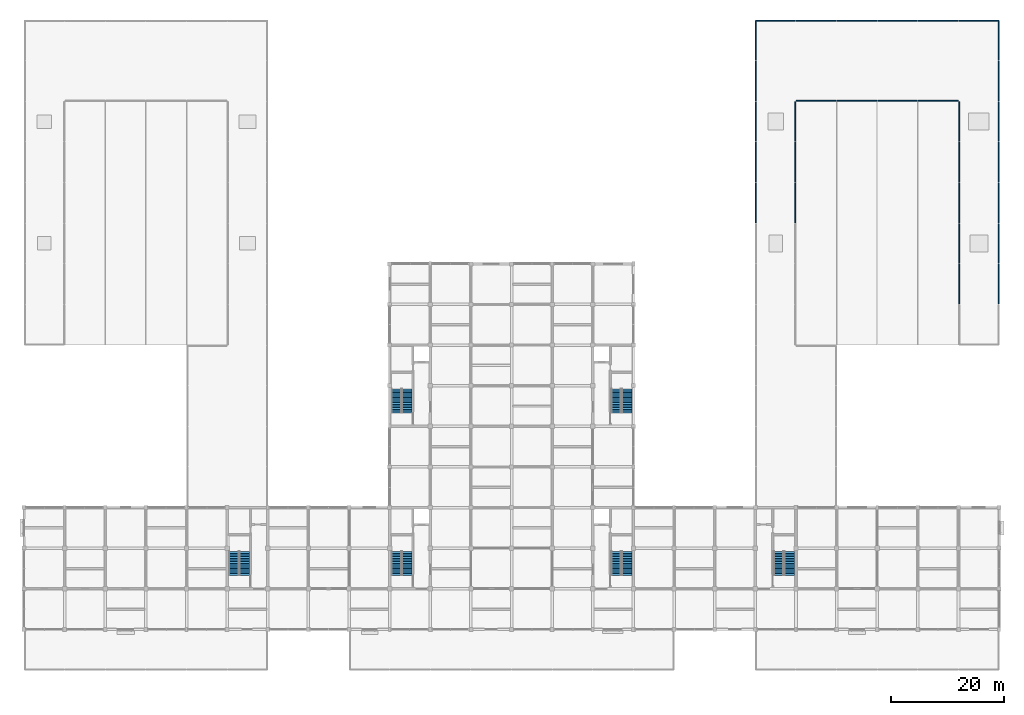
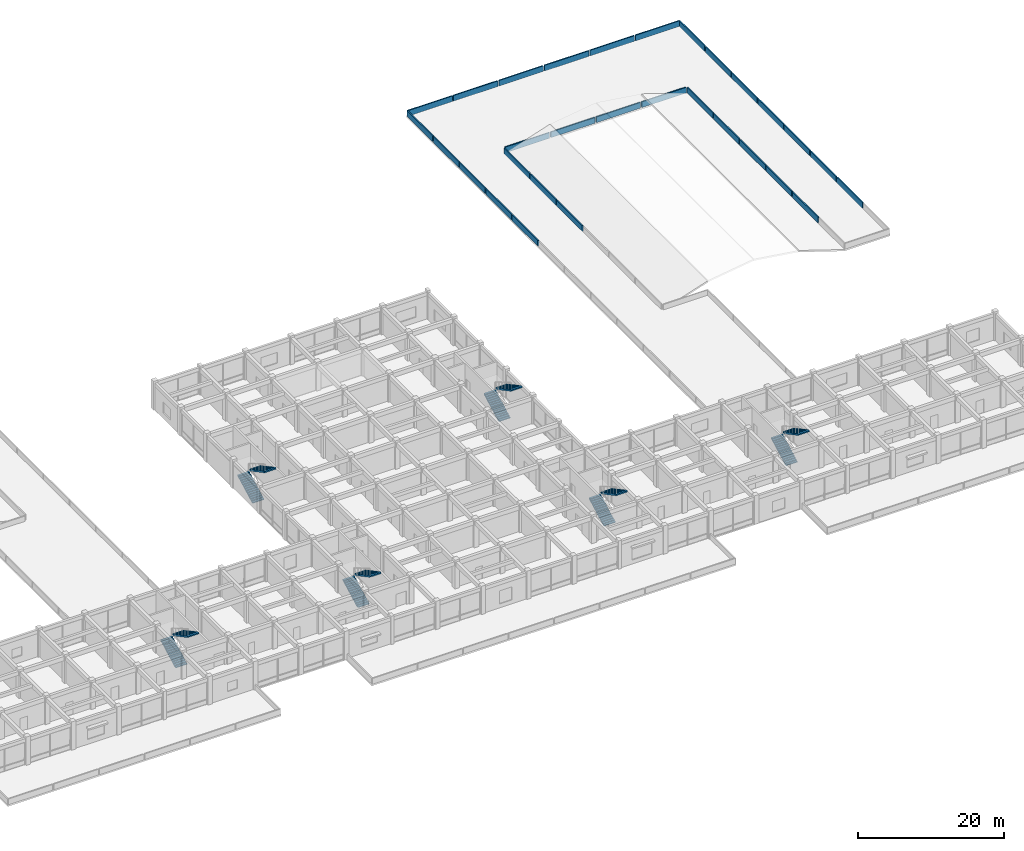
# One storey, part 26 of 30: 30 walls, 12 stair flights, 6 elements without a shape of their own.
"""IFC4 building model written with IfcOpenShell, lengths in metres."""

import ifcopenshell
import ifcopenshell.guid

model = None  # the IFC model being written
_history = None  # IfcOwnerHistory: only IFC2X3 demands one
_inside = {}  # id of a spatial element -> (the spatial element, [elements in it])
_under = {}  # id of a project, library or spatial element -> (it, [spatial elements below it])
_declared = {}  # id of a project -> (the project, [libraries it declares])
_typed = {}  # id of a type object -> (the type object, [elements of that type])
_made_of = {}  # id of a material, layer set ... -> (it, [elements and type objects made of it])


def new_model(schema):
    """Start an empty IFC model of exactly this schema.

    Asked for "IFC4X3", IfcOpenShell would pick the latest addendum, in which some entities
    have other attributes; the version numbers below select the first issue.
    IFC2X3 requires an IfcOwnerHistory on every rooted entity: one is made here for all.
    """
    global model, _history
    if schema == "IFC4X3":
        model = ifcopenshell.file(schema_version=(4, 3, 0, 0))
    else:
        model = ifcopenshell.file(schema=schema)
    _inside.clear()
    _under.clear()
    _declared.clear()
    _typed.clear()
    _made_of.clear()
    _history = None
    if model.schema == "IFC2X3":
        org = make("IfcOrganization", Name="unknown")
        user = make(
            "IfcPersonAndOrganization",
            ThePerson=make("IfcPerson", FamilyName="unknown"),
            TheOrganization=org,
        )
        app = make(
            "IfcApplication",
            ApplicationDeveloper=org,
            Version="unknown",
            ApplicationFullName="unknown",
            ApplicationIdentifier="unknown",
        )
        _history = make(
            "IfcOwnerHistory",
            OwningUser=user,
            OwningApplication=app,
            ChangeAction="ADDED",
            CreationDate=0,
        )
    return model


def make(cls, **values):
    """One entity of the class cls with the attributes given. An attribute that is None is left unset."""
    return model.create_entity(
        cls, **{name: value for name, value in values.items() if value is not None}
    )


def rooted(cls, **values):
    """An entity with a GlobalId (a new one), such as an element, a storey or a relation."""
    return make(cls, GlobalId=ifcopenshell.guid.new(), OwnerHistory=_history, **values)


def si_unit(unit_type, name, prefix=None):
    """IfcSIUnit, for example si_unit("LENGTHUNIT", "METRE", prefix="MILLI")."""
    return make("IfcSIUnit", UnitType=unit_type, Prefix=prefix, Name=name)


def assignment(units):
    """IfcUnitAssignment: the units of a project."""
    return None if units is None else make("IfcUnitAssignment", Units=units)


def point(xyz):
    """IfcCartesianPoint."""
    return None if xyz is None else make("IfcCartesianPoint", Coordinates=xyz)


def direction(xyz):
    """IfcDirection."""
    return None if xyz is None else make("IfcDirection", DirectionRatios=xyz)


def frame(location, z_axis=None, x_axis=None):
    """IfcAxis2Placement3D, a coordinate frame: its origin and axes. An axis left out is left unset."""
    return make(
        "IfcAxis2Placement3D",
        Location=point(location),
        Axis=direction(z_axis),
        RefDirection=direction(x_axis),
    )


def frame_2d(location, x_axis=None):
    """IfcAxis2Placement2D, a coordinate frame in the plane: its origin and x axis."""
    return make(
        "IfcAxis2Placement2D", Location=point(location), RefDirection=direction(x_axis)
    )


def origin():
    """The frame at (0, 0, 0) with its axes left unset."""
    return frame((0.0, 0.0, 0.0))


def place(relative_to, where):
    """IfcLocalPlacement: puts the frame where relative to a parent placement (None: the world)."""
    return make(
        "IfcLocalPlacement", PlacementRelTo=relative_to, RelativePlacement=where
    )


def context(
    kind, dimensions, precision=None, world=None, true_north=None, identifier=None
):
    """IfcGeometricRepresentationContext, for example the 3D "Model" context."""
    return make(
        "IfcGeometricRepresentationContext",
        ContextIdentifier=identifier,
        ContextType=kind,
        CoordinateSpaceDimension=dimensions,
        Precision=precision,
        WorldCoordinateSystem=world,
        TrueNorth=true_north,
    )


def subcontext(parent, identifier, kind, view, scale=None):
    """IfcGeometricRepresentationSubContext, for example "Body" below "Model"."""
    return make(
        "IfcGeometricRepresentationSubContext",
        ContextIdentifier=identifier,
        ContextType=kind,
        ParentContext=parent,
        TargetScale=scale,
        TargetView=view,
    )


def project(units=None, contexts=None):
    """IfcProject with its units and contexts."""
    return rooted(
        "IfcProject",
        Name="project",
        RepresentationContexts=contexts,
        UnitsInContext=assignment(units),
    )


def spatial(cls, under=None, at=None, **own):
    """A site, building, storey or space (cls), placed at a placement, below another one or the project."""
    s = rooted(cls, ObjectPlacement=at, **own)
    if under is not None:
        _under.setdefault(under.id(), (under, []))[1].append(s)
    return s


def polyline(points):
    """IfcPolyline through the points."""
    return make("IfcPolyline", Points=[point(p) for p in points])


def profile(cls, at=None, kind="AREA", **sizes):
    """A parametric profile (cls). Its sizes go by their IFC names, for example OverallWidth=200.0."""
    return make(cls, ProfileType=kind, Position=at, **sizes)


def rectangle(**sizes):
    """IfcRectangleProfileDef."""
    return profile("IfcRectangleProfileDef", **sizes)


def outline(outer, holes=None, kind="AREA"):
    """IfcArbitraryClosedProfileDef: a profile drawn as a closed curve; with holes, ...WithVoids."""
    if holes is None:
        return make("IfcArbitraryClosedProfileDef", ProfileType=kind, OuterCurve=outer)
    return make(
        "IfcArbitraryProfileDefWithVoids",
        ProfileType=kind,
        OuterCurve=outer,
        InnerCurves=holes,
    )


def extrude(swept, where, along, depth):
    """IfcExtrudedAreaSolid: the profile swept, set in the frame where, extruded along a direction by depth."""
    return make(
        "IfcExtrudedAreaSolid",
        SweptArea=swept,
        Position=where,
        ExtrudedDirection=direction(along),
        Depth=depth,
    )


def shape(context_of_items, identifier, shape_type, items):
    """IfcShapeRepresentation: the items that make up one representation, for example the "Body"."""
    return make(
        "IfcShapeRepresentation",
        ContextOfItems=context_of_items,
        RepresentationIdentifier=identifier,
        RepresentationType=shape_type,
        Items=items,
    )


def material(Name=None, Category=None):
    """IfcMaterial."""
    return make("IfcMaterial", Name=Name, Category=Category)


def layer(
    of_material, thickness, ventilated=None, Name=None, Category=None, Priority=None
):
    """IfcMaterialLayer: one layer of a wall or slab, of a material (None: an air gap)."""
    return make(
        "IfcMaterialLayer",
        Material=of_material,
        LayerThickness=thickness,
        IsVentilated=ventilated,
        Name=Name,
        Category=Category,
        Priority=Priority,
    )


def layer_set(layers, Name=None):
    """IfcMaterialLayerSet."""
    return make("IfcMaterialLayerSet", MaterialLayers=layers, LayerSetName=Name)


def made_of(thing, what):
    """Note that an element or type object is made of a material, layer set ...; save() writes the relation."""
    if what is not None:
        _made_of.setdefault(what.id(), (what, []))[1].append(thing)
    return thing


def type_object(cls, material=None, **own):
    """A type object (cls), such as IfcWallType, which elements share."""
    return made_of(rooted(cls, **own), material)


def element(
    cls,
    number,
    at=None,
    inside=None,
    cuts=None,
    type_object=None,
    material=None,
    context=None,
    identifier="Body",
    shape_type=None,
    held_by="IfcProductDefinitionShape",
    body=None,
    shapes=None,
    **own,
):
    """One element of the class cls, such as IfcWall. Its Tag is "e" and its number.

    at: its placement. inside: the storey or other place that contains it. cuts: it is an
    opening in that element (IfcRelVoidsElement). A single representation is given by context,
    identifier, shape_type and body (its items); several are given by shapes. held_by: the class
    of the entity that holds the representations. save() writes the other relations.
    """
    e = rooted(cls, Tag="e%d" % number, ObjectPlacement=at, **own)
    if body is not None:
        shapes = [shape(context, identifier, shape_type, body)]
    if shapes is not None:
        e.Representation = make(held_by, Representations=shapes)
    if inside is not None:
        _inside.setdefault(inside.id(), (inside, []))[1].append(e)
    if cuts is not None:
        rooted(
            "IfcRelVoidsElement", RelatingBuildingElement=cuts, RelatedOpeningElement=e
        )
    if type_object is not None:
        _typed.setdefault(type_object.id(), (type_object, []))[1].append(e)
    return made_of(e, material)


def aggregate(whole, parts):
    """IfcRelAggregates: a whole, such as a stair, and the parts it consists of."""
    return rooted("IfcRelAggregates", RelatingObject=whole, RelatedObjects=parts)


def save(model, path):
    """Write the relations noted so far, then the file.

    IfcRelAggregates (storeys below a building ...), IfcRelContainedInSpatialStructure (elements
    in a storey), IfcRelDefinesByType, IfcRelAssociatesMaterial and IfcRelDeclares: one each for
    every whole, place, type object, material and project.
    """
    for whole, parts in _under.values():
        aggregate(whole, parts)
    for where, things in _inside.values():
        rooted(
            "IfcRelContainedInSpatialStructure",
            RelatedElements=things,
            RelatingStructure=where,
        )
    for kind, things in _typed.values():
        rooted("IfcRelDefinesByType", RelatedObjects=things, RelatingType=kind)
    for what, things in _made_of.values():
        rooted("IfcRelAssociatesMaterial", RelatedObjects=things, RelatingMaterial=what)
    for by, libraries in _declared.values():
        rooted("IfcRelDeclares", RelatingContext=by, RelatedDefinitions=libraries)
    model.write(path)


model = new_model("IFC4")

# Units and contexts
model_context = context("Model", 3, precision=1e-05, world=origin(), true_north=direction((0.0, 1.0)))
body_context = subcontext(model_context, "Body", "Model", "MODEL_VIEW")
ifc_project = project(units=[si_unit("LENGTHUNIT", "METRE"), si_unit("AREAUNIT", "SQUARE_METRE"), si_unit("VOLUMEUNIT", "CUBIC_METRE"), si_unit("PLANEANGLEUNIT", "RADIAN"), si_unit("MASSUNIT", "GRAM", prefix="KILO")], contexts=[model_context])

# Site, building, storey
site_placement = place(None, origin())
site = spatial("IfcSite", under=ifc_project, at=site_placement, CompositionType="ELEMENT")
building_placement = place(site_placement, origin())
building = spatial("IfcBuilding", under=site, at=building_placement, Name="Cendaluz Park School", CompositionType="ELEMENT")
storey_placement = place(building_placement, frame((0.0, 0.0, 9.60009765625)))
storey = spatial("IfcBuildingStorey", under=building, at=storey_placement, Name="L02", CompositionType="ELEMENT", Elevation=9.60009765625)

# Walls
ifc_material_1 = material(Name="Concrete C40/50 precast", Category="concrete")
ifc_layer = layer(ifc_material_1, 0.179931640625)
ifc_layer_set = layer_set([ifc_layer], Name="Concrete C40/50 precast")
wall_type = type_object("IfcWallType", Name="W-PR18", PredefinedType="PARAPET", material=ifc_layer_set)
for number, where, z_axis, x_axis, name in (
    (1, (129.68994140625, 79.2900390625, 0.0), (0.0, 0.0, 1.0), (0.0, 1.0, 0.0), "WL-FC-AJ7"),
    (2, (136.7099609375, 79.2900390625, 0.0), (0.0, 0.0, 1.0), (0.0, 1.0, 0.0), "WL-FC-AJ8"),
    (3, (129.68994140625, 86.489990234375, 0.0), (0.0, 0.0, 1.0), (0.0, 1.0, 0.0), "WL-FC-AJ9"),
    (4, (136.7099609375, 86.489990234375, 0.0), (0.0, 0.0, 1.0), (0.0, 1.0, 0.0), "WL-FC-AK0"),
    (5, (129.68994140625, 93.68994140625, 0.0), (0.0, 0.0, 1.0), (0.0, 1.0, 0.0), "WL-FC-AK1"),
    (6, (136.7099609375, 93.68994140625, 0.0), (0.0, 0.0, 1.0), (0.0, 1.0, 0.0), "WL-FC-AK2"),
    (7, (129.68994140625, 100.889892578125, 0.0), (0.0, 0.0, 1.0), (0.0, 1.0, 0.0), "WL-FC-AK3"),
    (8, (129.68994140625, 115.110107421875, 0.0), (0.0, 0.0, 1.0), (1.0, 0.0, 0.0), "WL-FC-AK4"),
    (9, (129.68994140625, 108.090087890625, 0.0), (0.0, 0.0, 1.0), (0.0, 1.0, 0.0), "WL-FC-AK5"),
    (10, (136.889892578125, 100.889892578125, 0.0), (0.0, 0.0, 1.0), (1.0, 0.0, 0.0), "WL-FC-AL2"),
    (11, (136.889892578125, 115.110107421875, 0.0), (0.0, 0.0, 1.0), (1.0, 0.0, 0.0), "WL-FC-AL3"),
    (12, (144.090087890625, 100.889892578125, 0.0), (0.0, 0.0, 1.0), (1.0, 0.0, 0.0), "WL-FC-AL5"),
    (13, (144.090087890625, 115.110107421875, 0.0), (0.0, 0.0, 1.0), (1.0, 0.0, 0.0), "WL-FC-AL6"),
    (14, (151.2900390625, 100.889892578125, 0.0), (0.0, 0.0, 1.0), (1.0, 0.0, 0.0), "WL-FC-AL8"),
    (15, (151.2900390625, 115.110107421875, 0.0), (0.0, 0.0, 1.0), (1.0, 0.0, 0.0), "WL-FC-AL9"),
    (16, (158.489990234375, 100.889892578125, 0.0), (0.0, 0.0, 1.0), (1.0, 0.0, 0.0), "WL-FC-AM1"),
    (17, (158.489990234375, 115.110107421875, 0.0), (0.0, 0.0, 1.0), (1.0, 0.0, 0.0), "WL-FC-AM2"),
    (18, (165.68994140625, 64.889892578125, 0.0), (0.0, 0.0, 1.0), (0.0, 1.0, 0.0), "WL-FC-AM8"),
    (19, (172.7099609375, 64.889892578125, 0.0), (0.0, 0.0, 1.0), (0.0, 1.0, 0.0), "WL-FC-AM9"),
    (20, (165.68994140625, 72.090087890625, 0.0), (0.0, 0.0, 1.0), (0.0, 1.0, 0.0), "WL-FC-AN0"),
    (21, (172.7099609375, 72.090087890625, 0.0), (0.0, 0.0, 1.0), (0.0, 1.0, 0.0), "WL-FC-AN1"),
    (22, (165.68994140625, 79.2900390625, 0.0), (0.0, 0.0, 1.0), (0.0, 1.0, 0.0), "WL-FC-AN2"),
    (23, (172.7099609375, 79.2900390625, 0.0), (0.0, 0.0, 1.0), (0.0, 1.0, 0.0), "WL-FC-AN3"),
    (24, (165.68994140625, 86.489990234375, 0.0), (0.0, 0.0, 1.0), (0.0, 1.0, 0.0), "WL-FC-AN4"),
    (25, (172.7099609375, 86.489990234375, 0.0), (0.0, 0.0, 1.0), (0.0, 1.0, 0.0), "WL-FC-AN5"),
    (26, (165.68994140625, 93.68994140625, 0.0), (0.0, 0.0, 1.0), (0.0, 1.0, 0.0), "WL-FC-AN6"),
    (27, (172.7099609375, 93.68994140625, 0.0), (0.0, 0.0, 1.0), (0.0, 1.0, 0.0), "WL-FC-AN7"),
    (28, (172.7099609375, 100.889892578125, 0.0), (0.0, 0.0, 1.0), (0.0, 1.0, 0.0), "WL-FC-AN8"),
    (29, (165.68994140625, 115.110107421875, 0.0), (0.0, 0.0, 1.0), (1.0, 0.0, 0.0), "WL-FC-AN9"),
    (30, (172.7099609375, 108.090087890625, 0.0), (0.0, 0.0, 1.0), (0.0, 1.0, 0.0), "WL-FC-AO0"),
):
    element("IfcWall", number, at=place(storey_placement, frame(where, z_axis=z_axis, x_axis=x_axis)), inside=storey, type_object=wall_type, Name=name, PredefinedType="PARAPET", context=body_context, shape_type="SweptSolid", body=[
        extrude(rectangle(XDim=7.02001953125, YDim=0.179931640625, at=frame_2d((3.510009765625, 0.0))), origin(), (0.0, 0.0, 1.0), 0.949951171875),
    ])

# Stair, stair flights
ifc_material_2 = material(Name="Concrete C40/50", Category="concrete")
stair_type = type_object("IfcStairType", Name="ST-480-180", PredefinedType="HALF_TURN_STAIR", material=ifc_material_2)
stair_1_placement = place(storey_placement, origin())
stair_1 = element("IfcStair", 31, at=stair_1_placement, inside=storey, type_object=stair_type, Name="ST-L02-C1", PredefinedType="HALF_TURN_STAIR")
stair_flight_type = type_object("IfcStairFlightType", Name="SF-15-160-180", PredefinedType="STRAIGHT", material=ifc_material_2)
stair_flight_1_placement = place(storey_placement, frame((65.989990234375, 16.800048828125, 0.0), z_axis=(0.0, 0.0, 1.0), x_axis=(0.0, 1.0, 0.0)))
stair_flight_1 = element("IfcStairFlight", 32, at=stair_flight_1_placement, type_object=stair_flight_type, Name="SF-L02-C1-1", NumberOfRisers=15, NumberOfTreads=14, PredefinedType="STRAIGHT", RiserHeight=0.16, TreadLength=0.3, context=body_context, shape_type="SweptSolid", body=[
    extrude(outline(polyline([(0.0, 0.0), (0.0, 0.159912109375), (0.300048828125, 0.159912109375), (0.300048828125, 0.320068359375), (0.60009765625, 0.320068359375), (0.60009765625, 0.47998046875), (0.89990234375, 0.47998046875), (0.89990234375, 0.639892578125), (1.199951171875, 0.639892578125), (1.199951171875, 0.800048828125), (1.5, 0.800048828125), (1.5, 0.9599609375), (1.800048828125, 0.9599609375), (1.800048828125, 1.1201171875), (2.10009765625, 1.1201171875), (2.10009765625, 1.280029296875), (2.39990234375, 1.280029296875), (2.39990234375, 1.43994140625), (2.699951171875, 1.43994140625), (2.699951171875, 1.60009765625), (3.0, 1.60009765625), (3.0, 1.760009765625), (3.300048828125, 1.760009765625), (3.300048828125, 1.919921875), (3.60009765625, 1.919921875), (3.60009765625, 2.080078125), (3.89990234375, 2.080078125), (3.89990234375, 2.239990234375), (4.199951171875, 2.239990234375), (4.199951171875, 2.39990234375), (4.199951171875, 2.0361328125), (0.38232421875, 0.0), (0.0, 0.0)])), frame((0.0, 0.89990234375, 0.0), z_axis=(0.0, -1.0, 0.0), x_axis=(1.0, 0.0, 0.0)), (0.0, 0.0, 1.0), 1.800048828125),
])
stair_flight_2_placement = place(storey_placement, frame((67.860107421875, 21.0, 2.39990234375), z_axis=(0.0, 0.0, 1.0), x_axis=(0.0, -1.0, 0.0)))
stair_flight_2 = element("IfcStairFlight", 33, at=stair_flight_2_placement, type_object=stair_flight_type, Name="SF-L02-C1-2", NumberOfRisers=15, NumberOfTreads=14, PredefinedType="STRAIGHT", RiserHeight=0.16, TreadLength=0.3, context=body_context, shape_type="SweptSolid", body=[
    extrude(outline(polyline([(0.0, 0.0), (0.0, 0.159912109375), (0.300048828125, 0.159912109375), (0.300048828125, 0.320068359375), (0.60009765625, 0.320068359375), (0.60009765625, 0.47998046875), (0.89990234375, 0.47998046875), (0.89990234375, 0.639892578125), (1.199951171875, 0.639892578125), (1.199951171875, 0.800048828125), (1.5, 0.800048828125), (1.5, 0.9599609375), (1.800048828125, 0.9599609375), (1.800048828125, 1.1201171875), (2.10009765625, 1.1201171875), (2.10009765625, 1.280029296875), (2.39990234375, 1.280029296875), (2.39990234375, 1.43994140625), (2.699951171875, 1.43994140625), (2.699951171875, 1.60009765625), (3.0, 1.60009765625), (3.0, 1.760009765625), (3.300048828125, 1.760009765625), (3.300048828125, 1.919921875), (3.60009765625, 1.919921875), (3.60009765625, 2.080078125), (3.89990234375, 2.080078125), (3.89990234375, 2.239990234375), (4.199951171875, 2.239990234375), (4.199951171875, 2.39990234375), (4.199951171875, 2.0361328125), (0.38232421875, 0.0), (0.0, 0.0)])), frame((0.0, 0.89990234375, 0.0), z_axis=(0.0, -1.0, 0.0), x_axis=(1.0, 0.0, 0.0)), (0.0, 0.0, 1.0), 1.800048828125),
])
aggregate(stair_1, [stair_flight_1, stair_flight_2])

stair_2_placement = place(storey_placement, origin())
stair_2 = element("IfcStair", 34, at=stair_2_placement, inside=storey, type_object=stair_type, Name="ST-L02-C2", PredefinedType="HALF_TURN_STAIR")
stair_flight_3_placement = place(storey_placement, frame((104.93994140625, 16.800048828125, 0.0), z_axis=(0.0, 0.0, 1.0), x_axis=(0.0, 1.0, 0.0)))
stair_flight_3 = element("IfcStairFlight", 35, at=stair_flight_3_placement, type_object=stair_flight_type, Name="SF-L02-C2-1", NumberOfRisers=15, NumberOfTreads=14, PredefinedType="STRAIGHT", RiserHeight=0.16, TreadLength=0.3, context=body_context, shape_type="SweptSolid", body=[
    extrude(outline(polyline([(0.0, 0.0), (0.0, 0.159912109375), (0.300048828125, 0.159912109375), (0.300048828125, 0.320068359375), (0.60009765625, 0.320068359375), (0.60009765625, 0.47998046875), (0.89990234375, 0.47998046875), (0.89990234375, 0.639892578125), (1.199951171875, 0.639892578125), (1.199951171875, 0.800048828125), (1.5, 0.800048828125), (1.5, 0.9599609375), (1.800048828125, 0.9599609375), (1.800048828125, 1.1201171875), (2.10009765625, 1.1201171875), (2.10009765625, 1.280029296875), (2.39990234375, 1.280029296875), (2.39990234375, 1.43994140625), (2.699951171875, 1.43994140625), (2.699951171875, 1.60009765625), (3.0, 1.60009765625), (3.0, 1.760009765625), (3.300048828125, 1.760009765625), (3.300048828125, 1.919921875), (3.60009765625, 1.919921875), (3.60009765625, 2.080078125), (3.89990234375, 2.080078125), (3.89990234375, 2.239990234375), (4.199951171875, 2.239990234375), (4.199951171875, 2.39990234375), (4.199951171875, 2.0361328125), (0.38232421875, 0.0), (0.0, 0.0)])), frame((0.0, 0.89990234375, 0.0), z_axis=(0.0, -1.0, 0.0), x_axis=(1.0, 0.0, 0.0)), (0.0, 0.0, 1.0), 1.800048828125),
])
stair_flight_4_placement = place(storey_placement, frame((106.81005859375, 21.0, 2.39990234375), z_axis=(0.0, 0.0, 1.0), x_axis=(0.0, -1.0, 0.0)))
stair_flight_4 = element("IfcStairFlight", 36, at=stair_flight_4_placement, type_object=stair_flight_type, Name="SF-L02-C2-2", NumberOfRisers=15, NumberOfTreads=14, PredefinedType="STRAIGHT", RiserHeight=0.16, TreadLength=0.3, context=body_context, shape_type="SweptSolid", body=[
    extrude(outline(polyline([(0.0, 0.0), (0.0, 0.159912109375), (0.300048828125, 0.159912109375), (0.300048828125, 0.320068359375), (0.60009765625, 0.320068359375), (0.60009765625, 0.47998046875), (0.89990234375, 0.47998046875), (0.89990234375, 0.639892578125), (1.199951171875, 0.639892578125), (1.199951171875, 0.800048828125), (1.5, 0.800048828125), (1.5, 0.9599609375), (1.800048828125, 0.9599609375), (1.800048828125, 1.1201171875), (2.10009765625, 1.1201171875), (2.10009765625, 1.280029296875), (2.39990234375, 1.280029296875), (2.39990234375, 1.43994140625), (2.699951171875, 1.43994140625), (2.699951171875, 1.60009765625), (3.0, 1.60009765625), (3.0, 1.760009765625), (3.300048828125, 1.760009765625), (3.300048828125, 1.919921875), (3.60009765625, 1.919921875), (3.60009765625, 2.080078125), (3.89990234375, 2.080078125), (3.89990234375, 2.239990234375), (4.199951171875, 2.239990234375), (4.199951171875, 2.39990234375), (4.199951171875, 2.0361328125), (0.38232421875, 0.0), (0.0, 0.0)])), frame((0.0, 0.89990234375, 0.0), z_axis=(0.0, -1.0, 0.0), x_axis=(1.0, 0.0, 0.0)), (0.0, 0.0, 1.0), 1.800048828125),
])
aggregate(stair_2, [stair_flight_3, stair_flight_4])

stair_3_placement = place(storey_placement, origin())
stair_3 = element("IfcStair", 37, at=stair_3_placement, inside=storey, type_object=stair_type, Name="ST-L02-C3", PredefinedType="HALF_TURN_STAIR")
stair_flight_5_placement = place(storey_placement, frame((65.989990234375, 45.60009765625, 0.0), z_axis=(0.0, 0.0, 1.0), x_axis=(0.0, 1.0, 0.0)))
stair_flight_5 = element("IfcStairFlight", 38, at=stair_flight_5_placement, type_object=stair_flight_type, Name="SF-L02-C3-1", NumberOfRisers=15, NumberOfTreads=14, PredefinedType="STRAIGHT", RiserHeight=0.16, TreadLength=0.3, context=body_context, shape_type="SweptSolid", body=[
    extrude(outline(polyline([(0.0, 0.0), (0.0, 0.159912109375), (0.300048828125, 0.159912109375), (0.300048828125, 0.320068359375), (0.60009765625, 0.320068359375), (0.60009765625, 0.47998046875), (0.89990234375, 0.47998046875), (0.89990234375, 0.639892578125), (1.199951171875, 0.639892578125), (1.199951171875, 0.800048828125), (1.5, 0.800048828125), (1.5, 0.9599609375), (1.800048828125, 0.9599609375), (1.800048828125, 1.1201171875), (2.10009765625, 1.1201171875), (2.10009765625, 1.280029296875), (2.39990234375, 1.280029296875), (2.39990234375, 1.43994140625), (2.699951171875, 1.43994140625), (2.699951171875, 1.60009765625), (3.0, 1.60009765625), (3.0, 1.760009765625), (3.300048828125, 1.760009765625), (3.300048828125, 1.919921875), (3.60009765625, 1.919921875), (3.60009765625, 2.080078125), (3.89990234375, 2.080078125), (3.89990234375, 2.239990234375), (4.199951171875, 2.239990234375), (4.199951171875, 2.39990234375), (4.199951171875, 2.0361328125), (0.38232421875, 0.0), (0.0, 0.0)])), frame((0.0, 0.89990234375, 0.0), z_axis=(0.0, -1.0, 0.0), x_axis=(1.0, 0.0, 0.0)), (0.0, 0.0, 1.0), 1.800048828125),
])
stair_flight_6_placement = place(storey_placement, frame((67.860107421875, 49.800048828125, 2.39990234375), z_axis=(0.0, 0.0, 1.0), x_axis=(0.0, -1.0, 0.0)))
stair_flight_6 = element("IfcStairFlight", 39, at=stair_flight_6_placement, type_object=stair_flight_type, Name="SF-L02-C3-2", NumberOfRisers=15, NumberOfTreads=14, PredefinedType="STRAIGHT", RiserHeight=0.16, TreadLength=0.3, context=body_context, shape_type="SweptSolid", body=[
    extrude(outline(polyline([(0.0, 0.0), (0.0, 0.159912109375), (0.300048828125, 0.159912109375), (0.300048828125, 0.320068359375), (0.60009765625, 0.320068359375), (0.60009765625, 0.47998046875), (0.89990234375, 0.47998046875), (0.89990234375, 0.639892578125), (1.199951171875, 0.639892578125), (1.199951171875, 0.800048828125), (1.5, 0.800048828125), (1.5, 0.9599609375), (1.800048828125, 0.9599609375), (1.800048828125, 1.1201171875), (2.10009765625, 1.1201171875), (2.10009765625, 1.280029296875), (2.39990234375, 1.280029296875), (2.39990234375, 1.43994140625), (2.699951171875, 1.43994140625), (2.699951171875, 1.60009765625), (3.0, 1.60009765625), (3.0, 1.760009765625), (3.300048828125, 1.760009765625), (3.300048828125, 1.919921875), (3.60009765625, 1.919921875), (3.60009765625, 2.080078125), (3.89990234375, 2.080078125), (3.89990234375, 2.239990234375), (4.199951171875, 2.239990234375), (4.199951171875, 2.39990234375), (4.199951171875, 2.0361328125), (0.38232421875, 0.0), (0.0, 0.0)])), frame((0.0, 0.89990234375, 0.0), z_axis=(0.0, -1.0, 0.0), x_axis=(1.0, 0.0, 0.0)), (0.0, 0.0, 1.0), 1.800048828125),
])
aggregate(stair_3, [stair_flight_5, stair_flight_6])

stair_4_placement = place(storey_placement, origin())
stair_4 = element("IfcStair", 40, at=stair_4_placement, inside=storey, type_object=stair_type, Name="ST-L02-C4", PredefinedType="HALF_TURN_STAIR")
stair_flight_7_placement = place(storey_placement, frame((104.93994140625, 45.60009765625, 0.0), z_axis=(0.0, 0.0, 1.0), x_axis=(0.0, 1.0, 0.0)))
stair_flight_7 = element("IfcStairFlight", 41, at=stair_flight_7_placement, type_object=stair_flight_type, Name="SF-L02-C4-1", NumberOfRisers=15, NumberOfTreads=14, PredefinedType="STRAIGHT", RiserHeight=0.16, TreadLength=0.3, context=body_context, shape_type="SweptSolid", body=[
    extrude(outline(polyline([(0.0, 0.0), (0.0, 0.159912109375), (0.300048828125, 0.159912109375), (0.300048828125, 0.320068359375), (0.60009765625, 0.320068359375), (0.60009765625, 0.47998046875), (0.89990234375, 0.47998046875), (0.89990234375, 0.639892578125), (1.199951171875, 0.639892578125), (1.199951171875, 0.800048828125), (1.5, 0.800048828125), (1.5, 0.9599609375), (1.800048828125, 0.9599609375), (1.800048828125, 1.1201171875), (2.10009765625, 1.1201171875), (2.10009765625, 1.280029296875), (2.39990234375, 1.280029296875), (2.39990234375, 1.43994140625), (2.699951171875, 1.43994140625), (2.699951171875, 1.60009765625), (3.0, 1.60009765625), (3.0, 1.760009765625), (3.300048828125, 1.760009765625), (3.300048828125, 1.919921875), (3.60009765625, 1.919921875), (3.60009765625, 2.080078125), (3.89990234375, 2.080078125), (3.89990234375, 2.239990234375), (4.199951171875, 2.239990234375), (4.199951171875, 2.39990234375), (4.199951171875, 2.0361328125), (0.38232421875, 0.0), (0.0, 0.0)])), frame((0.0, 0.89990234375, 0.0), z_axis=(0.0, -1.0, 0.0), x_axis=(1.0, 0.0, 0.0)), (0.0, 0.0, 1.0), 1.800048828125),
])
stair_flight_8_placement = place(storey_placement, frame((106.81005859375, 49.800048828125, 2.39990234375), z_axis=(0.0, 0.0, 1.0), x_axis=(0.0, -1.0, 0.0)))
stair_flight_8 = element("IfcStairFlight", 42, at=stair_flight_8_placement, type_object=stair_flight_type, Name="SF-L02-C4-2", NumberOfRisers=15, NumberOfTreads=14, PredefinedType="STRAIGHT", RiserHeight=0.16, TreadLength=0.3, context=body_context, shape_type="SweptSolid", body=[
    extrude(outline(polyline([(0.0, 0.0), (0.0, 0.159912109375), (0.300048828125, 0.159912109375), (0.300048828125, 0.320068359375), (0.60009765625, 0.320068359375), (0.60009765625, 0.47998046875), (0.89990234375, 0.47998046875), (0.89990234375, 0.639892578125), (1.199951171875, 0.639892578125), (1.199951171875, 0.800048828125), (1.5, 0.800048828125), (1.5, 0.9599609375), (1.800048828125, 0.9599609375), (1.800048828125, 1.1201171875), (2.10009765625, 1.1201171875), (2.10009765625, 1.280029296875), (2.39990234375, 1.280029296875), (2.39990234375, 1.43994140625), (2.699951171875, 1.43994140625), (2.699951171875, 1.60009765625), (3.0, 1.60009765625), (3.0, 1.760009765625), (3.300048828125, 1.760009765625), (3.300048828125, 1.919921875), (3.60009765625, 1.919921875), (3.60009765625, 2.080078125), (3.89990234375, 2.080078125), (3.89990234375, 2.239990234375), (4.199951171875, 2.239990234375), (4.199951171875, 2.39990234375), (4.199951171875, 2.0361328125), (0.38232421875, 0.0), (0.0, 0.0)])), frame((0.0, 0.89990234375, 0.0), z_axis=(0.0, -1.0, 0.0), x_axis=(1.0, 0.0, 0.0)), (0.0, 0.0, 1.0), 1.800048828125),
])
aggregate(stair_4, [stair_flight_7, stair_flight_8])

stair_5_placement = place(storey_placement, origin())
stair_5 = element("IfcStair", 43, at=stair_5_placement, inside=storey, type_object=stair_type, Name="ST-L02-C5", PredefinedType="HALF_TURN_STAIR")
stair_flight_9_placement = place(storey_placement, frame((37.18994140625, 16.800048828125, 0.0), z_axis=(0.0, 0.0, 1.0), x_axis=(0.0, 1.0, 0.0)))
stair_flight_9 = element("IfcStairFlight", 44, at=stair_flight_9_placement, type_object=stair_flight_type, Name="SF-L02-C5-1", NumberOfRisers=15, NumberOfTreads=14, PredefinedType="STRAIGHT", RiserHeight=0.16, TreadLength=0.3, context=body_context, shape_type="SweptSolid", body=[
    extrude(outline(polyline([(0.0, 0.0), (0.0, 0.159912109375), (0.300048828125, 0.159912109375), (0.300048828125, 0.320068359375), (0.60009765625, 0.320068359375), (0.60009765625, 0.47998046875), (0.89990234375, 0.47998046875), (0.89990234375, 0.639892578125), (1.199951171875, 0.639892578125), (1.199951171875, 0.800048828125), (1.5, 0.800048828125), (1.5, 0.9599609375), (1.800048828125, 0.9599609375), (1.800048828125, 1.1201171875), (2.10009765625, 1.1201171875), (2.10009765625, 1.280029296875), (2.39990234375, 1.280029296875), (2.39990234375, 1.43994140625), (2.699951171875, 1.43994140625), (2.699951171875, 1.60009765625), (3.0, 1.60009765625), (3.0, 1.760009765625), (3.300048828125, 1.760009765625), (3.300048828125, 1.919921875), (3.60009765625, 1.919921875), (3.60009765625, 2.080078125), (3.89990234375, 2.080078125), (3.89990234375, 2.239990234375), (4.199951171875, 2.239990234375), (4.199951171875, 2.39990234375), (4.199951171875, 2.0361328125), (0.38232421875, 0.0), (0.0, 0.0)])), frame((0.0, 0.89990234375, 0.0), z_axis=(0.0, -1.0, 0.0), x_axis=(1.0, 0.0, 0.0)), (0.0, 0.0, 1.0), 1.800048828125),
])
stair_flight_10_placement = place(storey_placement, frame((39.06005859375, 21.0, 2.39990234375), z_axis=(0.0, 0.0, 1.0), x_axis=(0.0, -1.0, 0.0)))
stair_flight_10 = element("IfcStairFlight", 45, at=stair_flight_10_placement, type_object=stair_flight_type, Name="SF-L02-C5-2", NumberOfRisers=15, NumberOfTreads=14, PredefinedType="STRAIGHT", RiserHeight=0.16, TreadLength=0.3, context=body_context, shape_type="SweptSolid", body=[
    extrude(outline(polyline([(0.0, 0.0), (0.0, 0.159912109375), (0.300048828125, 0.159912109375), (0.300048828125, 0.320068359375), (0.60009765625, 0.320068359375), (0.60009765625, 0.47998046875), (0.89990234375, 0.47998046875), (0.89990234375, 0.639892578125), (1.199951171875, 0.639892578125), (1.199951171875, 0.800048828125), (1.5, 0.800048828125), (1.5, 0.9599609375), (1.800048828125, 0.9599609375), (1.800048828125, 1.1201171875), (2.10009765625, 1.1201171875), (2.10009765625, 1.280029296875), (2.39990234375, 1.280029296875), (2.39990234375, 1.43994140625), (2.699951171875, 1.43994140625), (2.699951171875, 1.60009765625), (3.0, 1.60009765625), (3.0, 1.760009765625), (3.300048828125, 1.760009765625), (3.300048828125, 1.919921875), (3.60009765625, 1.919921875), (3.60009765625, 2.080078125), (3.89990234375, 2.080078125), (3.89990234375, 2.239990234375), (4.199951171875, 2.239990234375), (4.199951171875, 2.39990234375), (4.199951171875, 2.0361328125), (0.38232421875, 0.0), (0.0, 0.0)])), frame((0.0, 0.89990234375, 0.0), z_axis=(0.0, -1.0, 0.0), x_axis=(1.0, 0.0, 0.0)), (0.0, 0.0, 1.0), 1.800048828125),
])
aggregate(stair_5, [stair_flight_9, stair_flight_10])

stair_6_placement = place(storey_placement, origin())
stair_6 = element("IfcStair", 46, at=stair_6_placement, inside=storey, type_object=stair_type, Name="ST-L02-C6", PredefinedType="HALF_TURN_STAIR")
stair_flight_11_placement = place(storey_placement, frame((133.739990234375, 16.800048828125, 0.0), z_axis=(0.0, 0.0, 1.0), x_axis=(0.0, 1.0, 0.0)))
stair_flight_11 = element("IfcStairFlight", 47, at=stair_flight_11_placement, type_object=stair_flight_type, Name="SF-L02-C6-1", NumberOfRisers=15, NumberOfTreads=14, PredefinedType="STRAIGHT", RiserHeight=0.16, TreadLength=0.3, context=body_context, shape_type="SweptSolid", body=[
    extrude(outline(polyline([(0.0, 0.0), (0.0, 0.159912109375), (0.300048828125, 0.159912109375), (0.300048828125, 0.320068359375), (0.60009765625, 0.320068359375), (0.60009765625, 0.47998046875), (0.89990234375, 0.47998046875), (0.89990234375, 0.639892578125), (1.199951171875, 0.639892578125), (1.199951171875, 0.800048828125), (1.5, 0.800048828125), (1.5, 0.9599609375), (1.800048828125, 0.9599609375), (1.800048828125, 1.1201171875), (2.10009765625, 1.1201171875), (2.10009765625, 1.280029296875), (2.39990234375, 1.280029296875), (2.39990234375, 1.43994140625), (2.699951171875, 1.43994140625), (2.699951171875, 1.60009765625), (3.0, 1.60009765625), (3.0, 1.760009765625), (3.300048828125, 1.760009765625), (3.300048828125, 1.919921875), (3.60009765625, 1.919921875), (3.60009765625, 2.080078125), (3.89990234375, 2.080078125), (3.89990234375, 2.239990234375), (4.199951171875, 2.239990234375), (4.199951171875, 2.39990234375), (4.199951171875, 2.0361328125), (0.38232421875, 0.0), (0.0, 0.0)])), frame((0.0, 0.89990234375, 0.0), z_axis=(0.0, -1.0, 0.0), x_axis=(1.0, 0.0, 0.0)), (0.0, 0.0, 1.0), 1.800048828125),
])
stair_flight_12_placement = place(storey_placement, frame((135.610107421875, 21.0, 2.39990234375), z_axis=(0.0, 0.0, 1.0), x_axis=(0.0, -1.0, 0.0)))
stair_flight_12 = element("IfcStairFlight", 48, at=stair_flight_12_placement, type_object=stair_flight_type, Name="SF-L02-C6-2", NumberOfRisers=15, NumberOfTreads=14, PredefinedType="STRAIGHT", RiserHeight=0.16, TreadLength=0.3, context=body_context, shape_type="SweptSolid", body=[
    extrude(outline(polyline([(0.0, 0.0), (0.0, 0.159912109375), (0.300048828125, 0.159912109375), (0.300048828125, 0.320068359375), (0.60009765625, 0.320068359375), (0.60009765625, 0.47998046875), (0.89990234375, 0.47998046875), (0.89990234375, 0.639892578125), (1.199951171875, 0.639892578125), (1.199951171875, 0.800048828125), (1.5, 0.800048828125), (1.5, 0.9599609375), (1.800048828125, 0.9599609375), (1.800048828125, 1.1201171875), (2.10009765625, 1.1201171875), (2.10009765625, 1.280029296875), (2.39990234375, 1.280029296875), (2.39990234375, 1.43994140625), (2.699951171875, 1.43994140625), (2.699951171875, 1.60009765625), (3.0, 1.60009765625), (3.0, 1.760009765625), (3.300048828125, 1.760009765625), (3.300048828125, 1.919921875), (3.60009765625, 1.919921875), (3.60009765625, 2.080078125), (3.89990234375, 2.080078125), (3.89990234375, 2.239990234375), (4.199951171875, 2.239990234375), (4.199951171875, 2.39990234375), (4.199951171875, 2.0361328125), (0.38232421875, 0.0), (0.0, 0.0)])), frame((0.0, 0.89990234375, 0.0), z_axis=(0.0, -1.0, 0.0), x_axis=(1.0, 0.0, 0.0)), (0.0, 0.0, 1.0), 1.800048828125),
])
aggregate(stair_6, [stair_flight_11, stair_flight_12])

save(model, "model.ifc")
